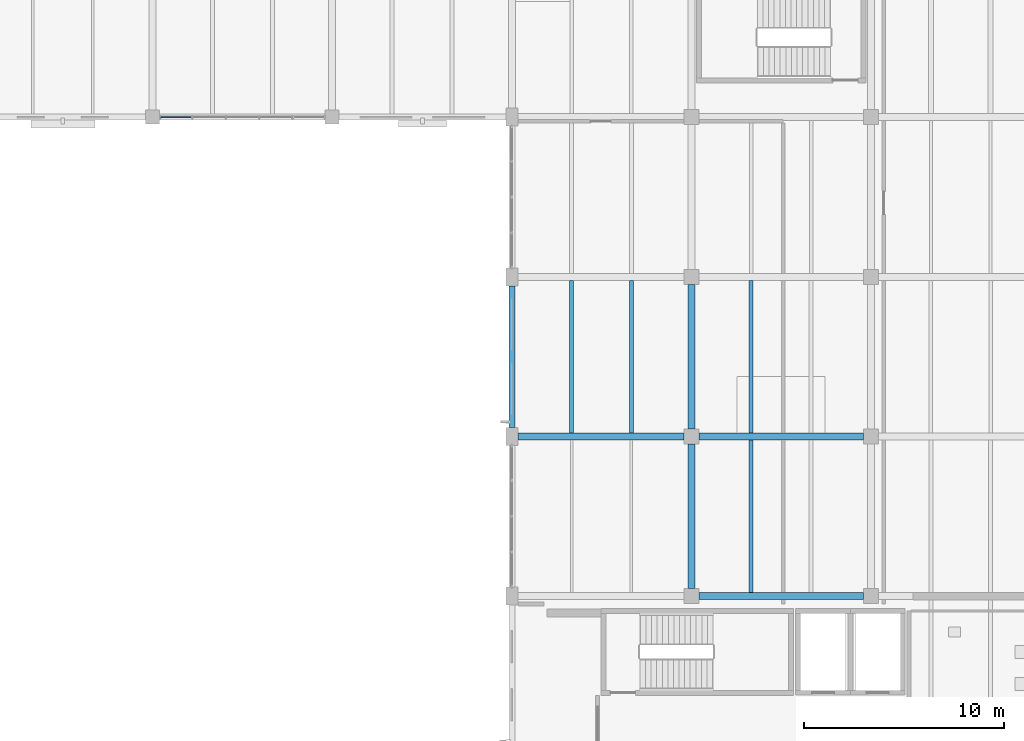
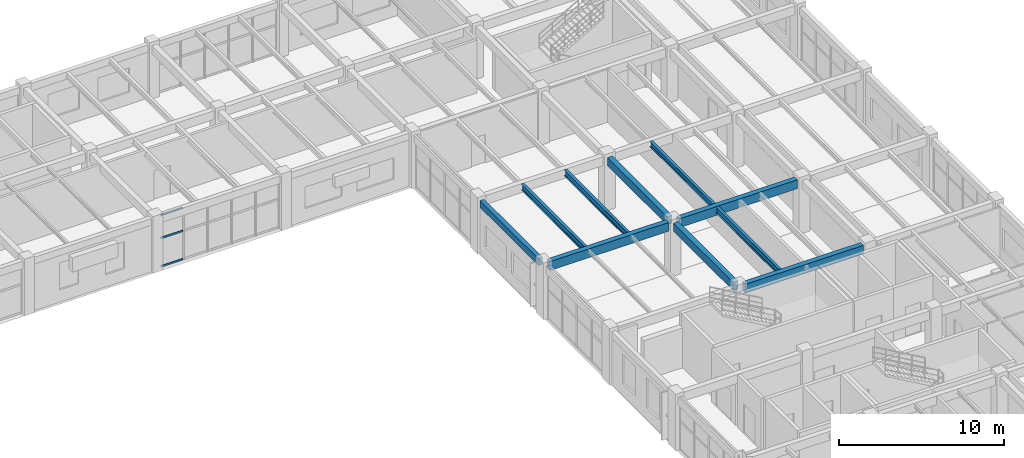
# One storey, part 84 of 128: 10 beams, 3 members, 1 element without a shape of its own.
"""IFC4 building model written with IfcOpenShell, lengths in metres."""

from ifc_helpers import new_model, si_unit, derived_unit, direction, frame, origin, origin_2d, place, context, subcontext, project, spatial, rectangle, hollow_rectangle, i_section, extrude, material, material_profile, profile_set, type_object, element, aggregate, save


model = new_model("IFC4")

# Units and contexts
model_context = context("Model", 3, precision=1e-05, world=origin(), true_north=direction((0.0, 1.0)))
body_context = subcontext(model_context, "Body", "Model", "MODEL_VIEW")
ifc_project = project(units=[si_unit("LENGTHUNIT", "METRE"), si_unit("AREAUNIT", "SQUARE_METRE"), si_unit("VOLUMEUNIT", "CUBIC_METRE"), si_unit("PLANEANGLEUNIT", "RADIAN"), si_unit("MASSUNIT", "GRAM", prefix="KILO"), derived_unit("THERMALTRANSMITTANCEUNIT", [(si_unit("MASSUNIT", "GRAM", prefix="KILO"), 1), (si_unit("TIMEUNIT", "SECOND"), -3), (si_unit("THERMODYNAMICTEMPERATUREUNIT", "KELVIN"), -1)])], contexts=[model_context])

# Site, building, storey
site_placement = place(None, origin())
site = spatial("IfcSite", under=ifc_project, at=site_placement, CompositionType="ELEMENT")
building_placement = place(site_placement, origin())
building = spatial("IfcBuilding", under=site, at=building_placement, Name="Zhenchuan Archway Interchange", CompositionType="ELEMENT")
storey_placement = place(building_placement, frame((0.0, 0.0, 14.39990234375)))
storey = spatial("IfcBuildingStorey", under=building, at=storey_placement, Name="L03", CompositionType="ELEMENT", Elevation=14.39990234375)

# Beams
ifc_material_1 = material(Name="Concrete C40", Category="concrete")
ifc_material_profile_1 = material_profile(ifc_material_1, rectangle(XDim=0.35009765625, YDim=0.60009765625, at=origin_2d()), Name="RC 350x600")
ifc_profile_set_1 = profile_set([ifc_material_profile_1], Name="Concrete C40")
beam_type_1 = type_object("IfcBeamType", Name="BM_RC_350x600", PredefinedType="BEAM", material=ifc_profile_set_1)
for number, where, z_axis, x_axis, name in (
    (1, (153.0, 64.375, 3.630126953125), (0.0, 1.0, 0.0), (-1.0, 0.0, 0.0), "Beam 18:J-K (L03)"),
    (2, (153.0, 72.375, 3.630126953125), (0.0, 1.0, 0.0), (-1.0, 0.0, 0.0), "Beam 18:K-L (L03)"),
):
    element("IfcBeam", number, at=place(storey_placement, frame(where, z_axis=z_axis, x_axis=x_axis)), inside=storey, type_object=beam_type_1, Name=name, PredefinedType="BEAM", context=body_context, shape_type="SweptSolid", body=[
        extrude(rectangle(XDim=0.35009765625, YDim=0.60009765625, at=origin_2d()), origin(), (0.0, 0.0, 1.0), 7.25),
    ])
ifc_material_profile_2 = material_profile(ifc_material_1, rectangle(XDim=0.35009765625, YDim=0.64990234375, at=origin_2d()), Name="RC 350x650")
ifc_profile_set_2 = profile_set([ifc_material_profile_2], Name="Concrete C40")
beam_type_2 = type_object("IfcBeamType", Name="BM_RC_350x650", PredefinedType="BEAM", material=ifc_profile_set_2)
beam_1_placement = place(storey_placement, frame((153.375, 64.0, 3.60498046875), z_axis=(1.0, 0.0, 0.0), x_axis=(0.0, 1.0, 0.0)))
element("IfcBeam", 3, at=beam_1_placement, inside=storey, type_object=beam_type_2, Name="Beam J:18-19 (L03)", PredefinedType="BEAM", context=body_context, shape_type="SweptSolid", body=[
    extrude(rectangle(XDim=0.35009765625, YDim=0.64990234375, at=origin_2d()), origin(), (0.0, 0.0, 1.0), 8.25),
])
beam_2_placement = place(storey_placement, frame((144.300048828125, 72.0, 3.60498046875), z_axis=(1.0, 0.0, 0.0), x_axis=(0.0, 1.0, 0.0)))
element("IfcBeam", 4, at=beam_2_placement, inside=storey, type_object=beam_type_2, Name="Beam K:17-18 (L03)", PredefinedType="BEAM", context=body_context, shape_type="SweptSolid", body=[
    extrude(rectangle(XDim=0.35009765625, YDim=0.64990234375, at=origin_2d()), origin(), (0.0, 0.0, 1.0), 8.324951171875),
])
beam_3_placement = place(storey_placement, frame((153.375, 72.0, 3.60498046875), z_axis=(1.0, 0.0, 0.0), x_axis=(0.0, 1.0, 0.0)))
element("IfcBeam", 5, at=beam_3_placement, inside=storey, type_object=beam_type_2, Name="Beam K:18-19 (L03)", PredefinedType="BEAM", context=body_context, shape_type="SweptSolid", body=[
    extrude(rectangle(XDim=0.35009765625, YDim=0.64990234375, at=origin_2d()), origin(), (0.0, 0.0, 1.0), 8.25),
])

# Curtain wall, members
ifc_material_2 = material(Name="Anodised Aluminium", Category="aluminium")
curtain_wall_type = type_object("IfcCurtainWallType", Name="CW_UNIT_1", PredefinedType="NOTDEFINED", material=ifc_material_2)
curtain_wall_placement = place(storey_placement, origin())
curtain_wall = element("IfcCurtainWall", 6, at=curtain_wall_placement, inside=storey, type_object=curtain_wall_type, Name="Unitised curtain wall CW:L03:172", PredefinedType="NOTDEFINED")
ifc_material_profile_3 = material_profile(ifc_material_2, hollow_rectangle(XDim=0.06005859375, YDim=0.139892578125, WallThickness=0.00341796875, InnerFilletRadius=0.00341796875, OuterFilletRadius=0.007080078125, at=origin_2d()), Name="ALU 140x60x3.5")
ifc_profile_set_3 = profile_set([ifc_material_profile_3], Name="Anodised Aluminium")
member_type = type_object("IfcMemberType", Name="CW_TRN_140", PredefinedType="USERDEFINED", material=ifc_profile_set_3)
member_1_placement = place(storey_placement, frame((127.930908203125, 88.0, 0.06005859375), z_axis=(-1.0, 0.0, 0.0), x_axis=(0.0, -1.0, 0.0)))
member_1 = element("IfcMember", 7, at=member_1_placement, type_object=member_type, Name="CW:L03:172 transom 4-1", ObjectType="TRANSOM", PredefinedType="USERDEFINED", context=body_context, shape_type="SweptSolid", body=[
    extrude(hollow_rectangle(XDim=0.06005859375, YDim=0.139892578125, WallThickness=0.00341796875, InnerFilletRadius=0.00341796875, OuterFilletRadius=0.007080078125, at=origin_2d()), origin(), (0.0, 0.0, 1.0), 1.532958984375),
])
member_2_placement = place(storey_placement, frame((127.930908203125, 88.0, 2.156005859375), z_axis=(-1.0, 0.0, 0.0), x_axis=(0.0, -1.0, 0.0)))
member_2 = element("IfcMember", 8, at=member_2_placement, type_object=member_type, Name="CW:L03:172 transom 4-2", ObjectType="TRANSOM", PredefinedType="USERDEFINED", context=body_context, shape_type="SweptSolid", body=[
    extrude(hollow_rectangle(XDim=0.06005859375, YDim=0.139892578125, WallThickness=0.00341796875, InnerFilletRadius=0.00341796875, OuterFilletRadius=0.007080078125, at=origin_2d()), origin(), (0.0, 0.0, 1.0), 1.532958984375),
])
member_3_placement = place(storey_placement, frame((127.930908203125, 88.0, 3.860107421875), z_axis=(-1.0, 0.0, 0.0), x_axis=(0.0, -1.0, 0.0)))
member_3 = element("IfcMember", 9, at=member_3_placement, type_object=member_type, Name="CW:L03:172 transom 4-3", ObjectType="TRANSOM", PredefinedType="USERDEFINED", context=body_context, shape_type="SweptSolid", body=[
    extrude(hollow_rectangle(XDim=0.06005859375, YDim=0.139892578125, WallThickness=0.00341796875, InnerFilletRadius=0.00341796875, OuterFilletRadius=0.007080078125, at=origin_2d()), origin(), (0.0, 0.0, 1.0), 1.532958984375),
])
aggregate(curtain_wall, [member_1, member_2, member_3])

# Beams
ifc_material_3 = material(Name="Steel Q355", Category="steel")
ifc_material_profile_4 = material_profile(ifc_material_3, i_section(OverallWidth=0.199951171875, OverallDepth=0.39990234375, WebThickness=0.008056640625, FlangeThickness=0.012939453125, FilletRadius=0.01611328125, at=origin_2d()), Name="HN 400x200")
ifc_profile_set_4 = profile_set([ifc_material_profile_4], Name="Steel Q355")
beam_type_3 = type_object("IfcBeamType", Name="JST_STL_HN400", PredefinedType="JOIST", material=ifc_profile_set_4)
beam_4_placement = place(storey_placement, frame((156.0, 72.175048828125, 3.72998046875), z_axis=(0.0, 1.0, 0.0), x_axis=(-1.0, 0.0, 0.0)))
element("IfcBeam", 10, at=beam_4_placement, inside=storey, type_object=beam_type_3, Name="Secondary joist 18-19/K-L #1 (L03)", PredefinedType="JOIST", context=body_context, shape_type="SweptSolid", body=[
    extrude(i_section(OverallWidth=0.199951171875, OverallDepth=0.39990234375, WebThickness=0.008056640625, FlangeThickness=0.012939453125, FilletRadius=0.01611328125, at=origin_2d()), origin(), (0.0, 0.0, 1.0), 7.64990234375),
])
ifc_material_profile_5 = material_profile(ifc_material_3, i_section(OverallWidth=0.199951171875, OverallDepth=0.449951171875, WebThickness=0.009033203125, FlangeThickness=0.013916015625, FilletRadius=0.01806640625, at=origin_2d()), Name="HN 450x200")
ifc_profile_set_5 = profile_set([ifc_material_profile_5], Name="Steel Q355")
beam_type_4 = type_object("IfcBeamType", Name="JST_STL_HN450", PredefinedType="JOIST", material=ifc_profile_set_5)
for number, where, z_axis, x_axis, name in (
    (11, (147.0, 72.175048828125, 3.705078125), (0.0, 1.0, 0.0), (-1.0, 0.0, 0.0), "Secondary joist 17-18/K-L #1 (L03)"),
    (12, (150.0, 72.175048828125, 3.705078125), (0.0, 1.0, 0.0), (-1.0, 0.0, 0.0), "Secondary joist 17-18/K-L #2 (L03)"),
    (13, (156.0, 64.175048828125, 3.705078125), (0.0, 1.0, 0.0), (-1.0, 0.0, 0.0), "Secondary joist 18-19/J-K #1 (L03)"),
):
    element("IfcBeam", number, at=place(storey_placement, frame(where, z_axis=z_axis, x_axis=x_axis)), inside=storey, type_object=beam_type_4, Name=name, PredefinedType="JOIST", context=body_context, shape_type="SweptSolid", body=[
        extrude(i_section(OverallWidth=0.199951171875, OverallDepth=0.449951171875, WebThickness=0.009033203125, FlangeThickness=0.013916015625, FilletRadius=0.01806640625, at=origin_2d()), origin(), (0.0, 0.0, 1.0), 7.64990234375),
    ])
ifc_material_profile_6 = material_profile(ifc_material_1, rectangle(XDim=0.300048828125, YDim=0.5, at=origin_2d()), Name="RC 300x500")
ifc_profile_set_6 = profile_set([ifc_material_profile_6], Name="Concrete C40")
beam_type_5 = type_object("IfcBeamType", Name="SP_RC_300x500", PredefinedType="SPANDREL", material=ifc_profile_set_6)
beam_5_placement = place(storey_placement, frame((144.0, 72.449951171875, 3.68017578125), z_axis=(0.0, 1.0, 0.0), x_axis=(-1.0, 0.0, 0.0)))
element("IfcBeam", 14, at=beam_5_placement, inside=storey, type_object=beam_type_5, Name="Beam 17:K-L (L03)", PredefinedType="SPANDREL", context=body_context, shape_type="SweptSolid", body=[
    extrude(rectangle(XDim=0.300048828125, YDim=0.5, at=origin_2d()), origin(), (0.0, 0.0, 1.0), 7.10009765625),
])

save(model, "model.ifc")
